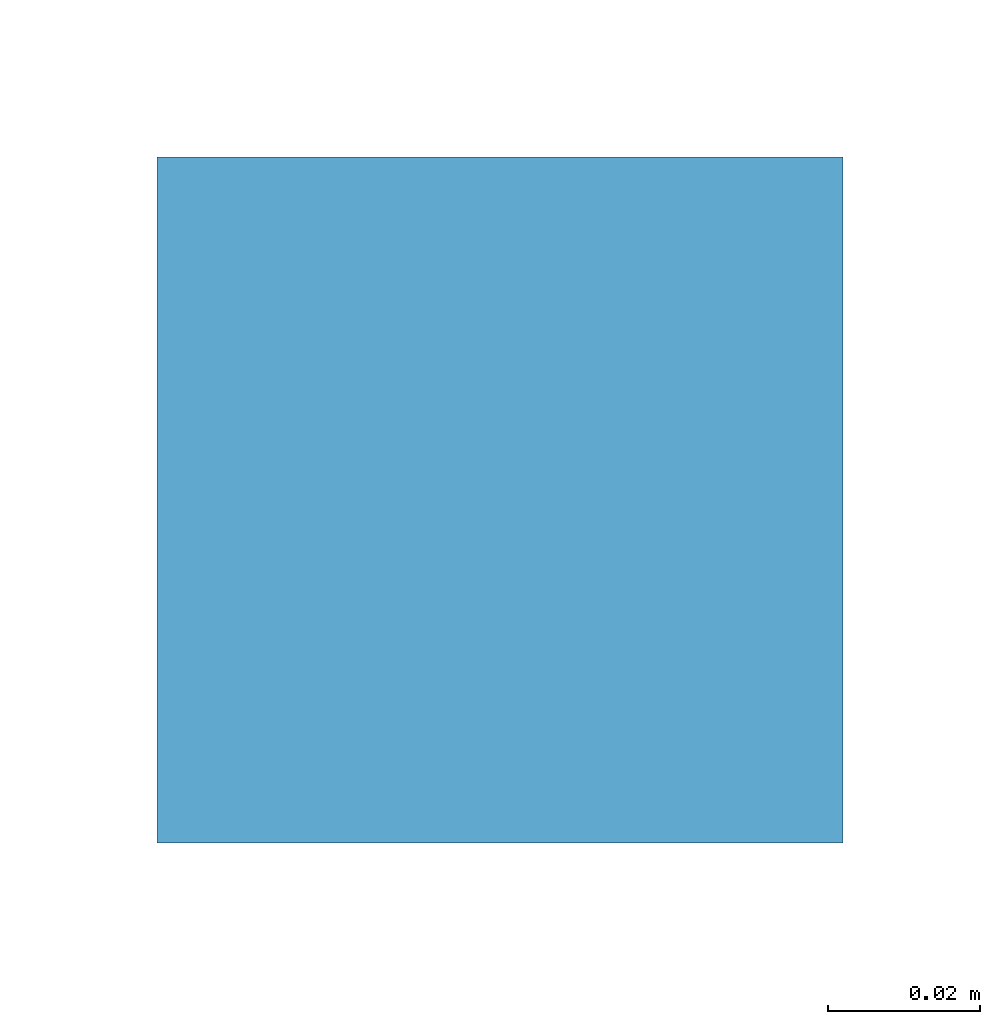
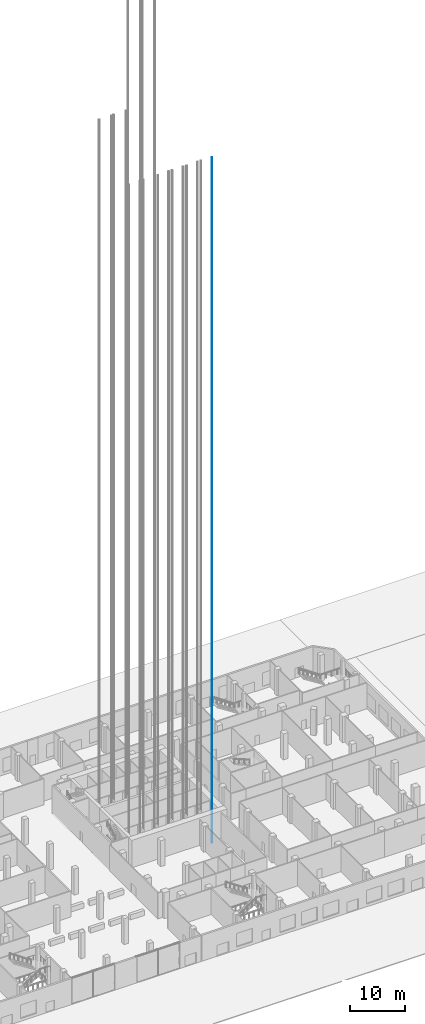
# One storey, part 23 of 55: 1 member.
"""IFC4 building model written with IfcOpenShell, lengths in metres."""

from ifc_helpers import new_model, si_unit, direction, frame, origin, origin_2d, place, context, subcontext, project, spatial, rectangle, extrude, material, material_profile, profile_set, type_object, element, save


model = new_model("IFC4")

# Units and contexts
model_context = context("Model", 3, precision=1e-05, world=origin(), true_north=direction((0.0, 1.0)))
body_context = subcontext(model_context, "Body", "Model", "MODEL_VIEW")
ifc_project = project(units=[si_unit("LENGTHUNIT", "METRE"), si_unit("AREAUNIT", "SQUARE_METRE"), si_unit("VOLUMEUNIT", "CUBIC_METRE"), si_unit("PLANEANGLEUNIT", "RADIAN"), si_unit("MASSUNIT", "GRAM", prefix="KILO")], contexts=[model_context])

# Site, building, storey
site_placement = place(None, origin())
site = spatial("IfcSite", under=ifc_project, at=site_placement, CompositionType="ELEMENT")
building_placement = place(site_placement, origin())
building = spatial("IfcBuilding", under=site, at=building_placement, Name="Cinnabar Reach Civic Tower", CompositionType="ELEMENT")
storey_placement = place(building_placement, origin())
storey = spatial("IfcBuildingStorey", under=building, at=storey_placement, Name="L00", CompositionType="ELEMENT", Elevation=0.0)

# Member
ifc_material = material(Name="Steel Q355B", Category="steel")
ifc_material_profile = material_profile(ifc_material, rectangle(XDim=0.09, YDim=0.09, at=origin_2d()), Name="T1 lift guide rail")
ifc_profile_set = profile_set([ifc_material_profile], Name="Steel Q355B")
member_type = type_object("IfcMemberType", Name="T1 lift guide rail", PredefinedType="USERDEFINED", material=ifc_profile_set)
member_placement = place(storey_placement, frame((22.13, 22.5, -2.5), z_axis=(0.0, 0.0, 1.0), x_axis=(1.0, 0.0, 0.0)))
element("IfcMember", 1, at=member_placement, inside=storey, type_object=member_type, Name="T1-LR6 guide rail 2", ObjectType="GUIDE RAIL", PredefinedType="USERDEFINED", context=body_context, shape_type="SweptSolid", body=[
    extrude(rectangle(XDim=0.09, YDim=0.09, at=origin_2d()), origin(), (0.0, 0.0, 1.0), 150.9),
])

save(model, "model.ifc")
